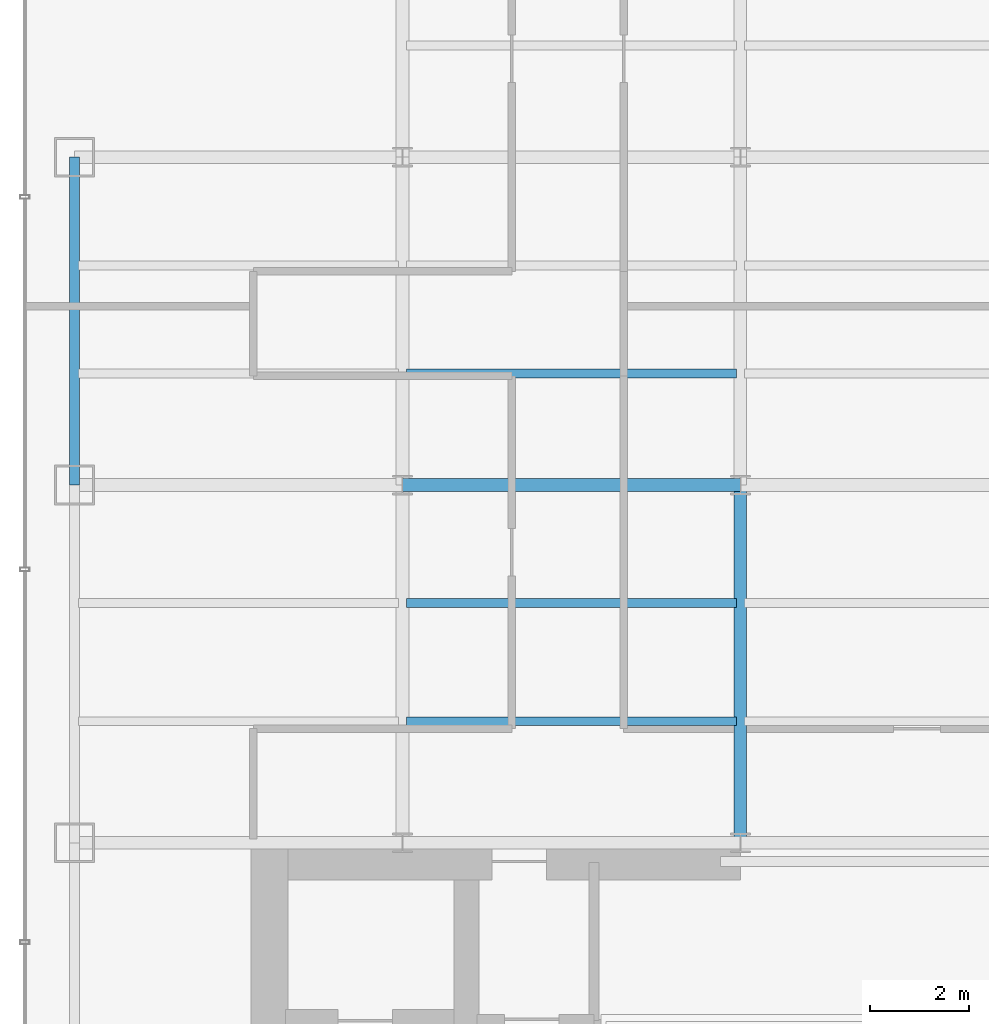
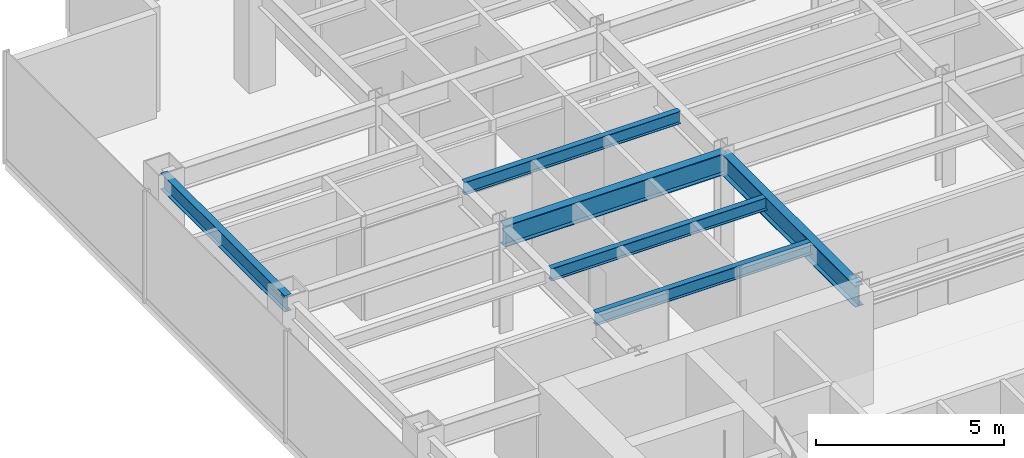
# One storey, part 5 of 25: 6 beams.
"""IFC4 building model written with IfcOpenShell, lengths in metres."""

from ifc_helpers import new_model, si_unit, derived_unit, direction, frame, origin, origin_2d, place, context, subcontext, project, spatial, i_section, extrude, source, transform, mapped, material, material_profile, profile_set, type_object, element, save


model = new_model("IFC4")

# Units and contexts
model_context = context("Model", 3, precision=1e-05, world=origin(), true_north=direction((0.0, 1.0)))
body_context = subcontext(model_context, "Body", "Model", "MODEL_VIEW")
ifc_project = project(units=[si_unit("LENGTHUNIT", "METRE"), si_unit("AREAUNIT", "SQUARE_METRE"), si_unit("VOLUMEUNIT", "CUBIC_METRE"), si_unit("PLANEANGLEUNIT", "RADIAN"), si_unit("MASSUNIT", "GRAM", prefix="KILO"), derived_unit("THERMALTRANSMITTANCEUNIT", [(si_unit("POWERUNIT", "WATT"), 1), (si_unit("LENGTHUNIT", "METRE"), -2), (si_unit("THERMODYNAMICTEMPERATUREUNIT", "KELVIN"), -1)])], contexts=[model_context])

# Site, building, storey
site_placement = place(None, origin())
site = spatial("IfcSite", under=ifc_project, at=site_placement, CompositionType="ELEMENT")
building_placement = place(site_placement, origin())
building = spatial("IfcBuilding", under=site, at=building_placement, Name="Skarnbrae Concourse Arena and Tower", CompositionType="ELEMENT")
storey_placement = place(building_placement, frame((0.0, 0.0, 88.64990234375)))
storey = spatial("IfcBuildingStorey", under=building, at=storey_placement, Name="L21", CompositionType="ELEMENT", Elevation=88.64990234375)

# Beams
ifc_material = material(Name="Steel CSA G40.21 350W", Category="steel")
ifc_material_profile_1 = material_profile(ifc_material, i_section(OverallWidth=0.256103515625, OverallDepth=0.693115234375, WebThickness=0.014404296875, FlangeThickness=0.023681640625, at=origin_2d()), Name="W690X170")
ifc_profile_set_1 = profile_set([ifc_material_profile_1], Name="Steel CSA G40.21 350W")
beam_type_1 = type_object("IfcBeamType", Name="BM-GIRD-W690X170", PredefinedType="BEAM", material=ifc_profile_set_1)
shared_shape_1 = source(origin(), body_context, "Body", "SweptSolid", [
    extrude(i_section(OverallWidth=0.256103515625, OverallDepth=0.693115234375, WebThickness=0.014404296875, FlangeThickness=0.023681640625, at=origin_2d()), origin(), (0.0, 0.0, 1.0), 6.7998046875),
])
beam_1_placement = place(storey_placement, frame((7.60009765625, 21.199951171875, 3.0537109375), z_axis=(1.0, 0.0, 0.0), x_axis=(0.0, 1.0, 0.0)))
element("IfcBeam", 1, at=beam_1_placement, inside=storey, type_object=beam_type_1, Name="L21 Primary E-W girder Y21.2-2", PredefinedType="BEAM", context=body_context, shape_type="MappedRepresentation", body=[
    mapped(shared_shape_1, transform((0.0, 0.0, 0.0))),
])
ifc_material_profile_2 = material_profile(ifc_material, i_section(OverallWidth=0.208984375, OverallDepth=0.532958984375, WebThickness=0.01025390625, FlangeThickness=0.015625, at=origin_2d()), Name="W530X92")
ifc_profile_set_2 = profile_set([ifc_material_profile_2], Name="Steel CSA G40.21 350W")
beam_type_2 = type_object("IfcBeamType", Name="BM-SPAN-W530X92", PredefinedType="SPANDREL", material=ifc_profile_set_2)
shared_shape_2 = source(origin(), body_context, "Body", "SweptSolid", [
    extrude(i_section(OverallWidth=0.208984375, OverallDepth=0.532958984375, WebThickness=0.01025390625, FlangeThickness=0.015625, at=origin_2d()), origin(), (0.0, 0.0, 1.0), 6.60009765625),
])
beam_2_placement = place(storey_placement, frame((1.0, 21.199951171875, 3.133544921875), z_axis=(0.0, 1.0, 0.0), x_axis=(-1.0, 0.0, 0.0)))
element("IfcBeam", 2, at=beam_2_placement, inside=storey, type_object=beam_type_2, Name="L21 Perimeter spandrel X1.0-3", PredefinedType="SPANDREL", context=body_context, shape_type="MappedRepresentation", body=[
    mapped(shared_shape_2, transform((0.0, 0.0, 0.0))),
])
shared_shape_3 = source(origin(), body_context, "Body", "SweptSolid", [
    extrude(i_section(OverallWidth=0.256103515625, OverallDepth=0.693115234375, WebThickness=0.014404296875, FlangeThickness=0.023681640625, at=origin_2d()), origin(), (0.0, 0.0, 1.0), 7.199951171875),
])
beam_3_placement = place(storey_placement, frame((14.39990234375, 14.0, 3.0537109375), z_axis=(0.0, 1.0, 0.0), x_axis=(-1.0, 0.0, 0.0)))
element("IfcBeam", 3, at=beam_3_placement, inside=storey, type_object=beam_type_1, Name="L21 Primary N-S girder X14.4-1", PredefinedType="BEAM", context=body_context, shape_type="MappedRepresentation", body=[
    mapped(shared_shape_3, transform((0.0, 0.0, 0.0))),
])
ifc_material_profile_3 = material_profile(ifc_material, i_section(OverallWidth=0.177978515625, OverallDepth=0.406982421875, WebThickness=0.0078125, FlangeThickness=0.0126953125, at=origin_2d()), Name="W410X60")
ifc_profile_set_3 = profile_set([ifc_material_profile_3], Name="Steel CSA G40.21 350W")
beam_type_3 = type_object("IfcBeamType", Name="BM-JOIST-W410X60", PredefinedType="JOIST", material=ifc_profile_set_3)
shared_shape_4 = source(origin(), body_context, "Body", "SweptSolid", [
    extrude(i_section(OverallWidth=0.177978515625, OverallDepth=0.406982421875, WebThickness=0.0078125, FlangeThickness=0.0126953125, at=origin_2d()), origin(), (0.0, 0.0, 1.0), 6.64013671875),
])
for number, where, z_axis, x_axis, name in (
    (4, (7.679931640625, 16.447998046875, 3.196533203125), (1.0, 0.0, 0.0), (0.0, 1.0, 0.0), "L21 Secondary floor joist 1.1.2"),
    (5, (7.679931640625, 18.823974609375, 3.196533203125), (1.0, 0.0, 0.0), (0.0, 1.0, 0.0), "L21 Secondary floor joist 1.2.2"),
    (6, (7.679931640625, 23.444091796875, 3.196533203125), (1.0, 0.0, 0.0), (0.0, 1.0, 0.0), "L21 Secondary floor joist 2.1.2"),
):
    element("IfcBeam", number, at=place(storey_placement, frame(where, z_axis=z_axis, x_axis=x_axis)), inside=storey, type_object=beam_type_3, Name=name, PredefinedType="JOIST", context=body_context, shape_type="MappedRepresentation", body=[
        mapped(shared_shape_4, transform((0.0, 0.0, 0.0))),
    ])

save(model, "model.ifc")
